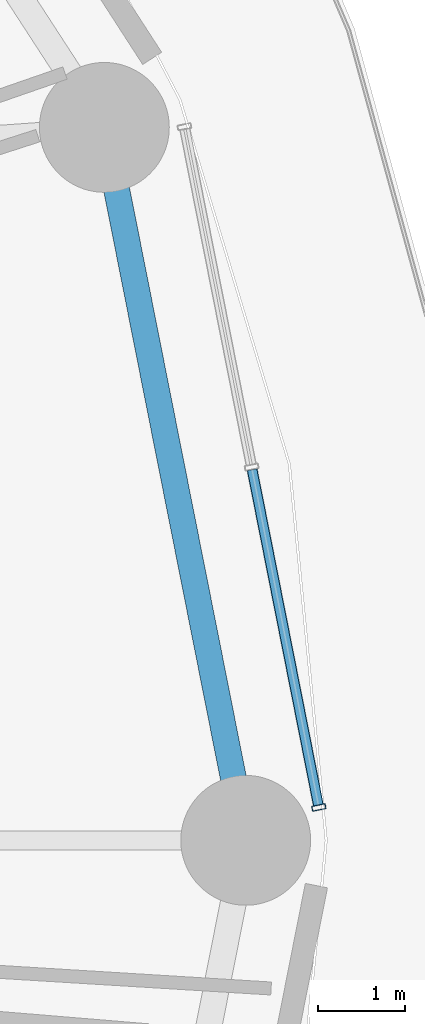
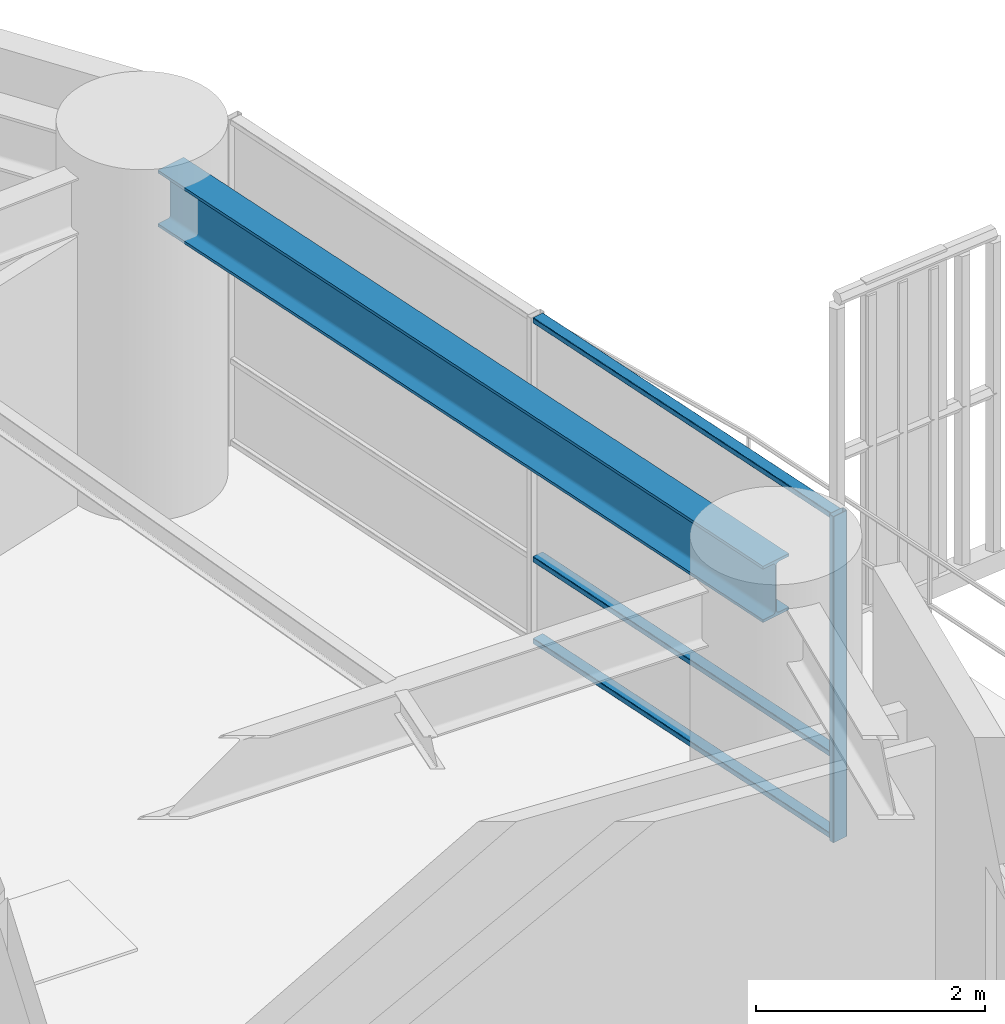
# One storey, part 14 of 32: 4 members, 1 beam, 1 element without a shape of its own.
"""IFC4 building model written with IfcOpenShell, lengths in metres."""

from ifc_helpers import new_model, si_unit, direction, frame, origin, origin_2d, place, context, subcontext, project, spatial, hollow_rectangle, i_section, extrude, material, layer, layer_set, material_profile, profile_set, type_object, element, aggregate, save


model = new_model("IFC4")

# Units and contexts
model_context = context("Model", 3, precision=1e-05, world=origin(), true_north=direction((0.0, 1.0)))
body_context = subcontext(model_context, "Body", "Model", "MODEL_VIEW")
ifc_project = project(units=[si_unit("LENGTHUNIT", "METRE"), si_unit("AREAUNIT", "SQUARE_METRE"), si_unit("VOLUMEUNIT", "CUBIC_METRE"), si_unit("PLANEANGLEUNIT", "RADIAN"), si_unit("MASSUNIT", "GRAM", prefix="KILO")], contexts=[model_context])

# Site, building, storey
site_placement = place(None, origin())
site = spatial("IfcSite", under=ifc_project, at=site_placement, CompositionType="ELEMENT")
building_placement = place(site_placement, origin())
building = spatial("IfcBuilding", under=site, at=building_placement, Name="Kelanora Arch Commons", CompositionType="ELEMENT")
storey_placement = place(building_placement, frame((0.0, 0.0, 56.25)))
storey = spatial("IfcBuildingStorey", under=building, at=storey_placement, Name="L14", CompositionType="ELEMENT", Elevation=56.25)

# Beam
ifc_material_1 = material(Name="Steel S355", Category="steel")
ifc_material_profile_1 = material_profile(ifc_material_1, i_section(OverallWidth=0.300048828125, OverallDepth=0.60009765625, WebThickness=0.015380859375, FlangeThickness=0.030029296875, FilletRadius=0.027099609375, at=origin_2d()), Name="HEB600")
ifc_profile_set_1 = profile_set([ifc_material_profile_1], Name="Steel S355")
beam_type = type_object("IfcBeamType", Name="BM-SPN-Z1", PredefinedType="SPANDREL", material=ifc_profile_set_1)
beam_placement = place(storey_placement, frame((101.080078125, 58.0, 3.18994140625), z_axis=(-0.194522790633, 0.980897998736, 0.0), x_axis=(-0.980897998736, -0.194522790633, 0.0)))
element("IfcBeam", 1, at=beam_placement, inside=storey, type_object=beam_type, Name="Perimeter Spandrel Beam BS-00 L14", PredefinedType="SPANDREL", context=body_context, shape_type="SweptSolid", body=[
    extrude(i_section(OverallWidth=0.300048828125, OverallDepth=0.60009765625, WebThickness=0.015380859375, FlangeThickness=0.030029296875, FilletRadius=0.027099609375, at=origin_2d()), origin(), (0.0, 0.0, 1.0), 8.01611328125),
])

# Curtain wall, members
ifc_material_2 = material(Name="Terracotta ceramic-fritted low-E glass and aluminium", Category="masonry")
ifc_layer = layer(ifc_material_2, 0.159912109375)
ifc_layer_set = layer_set([ifc_layer], Name="Terracotta ceramic-fritted low-E glass and aluminium")
curtain_wall_type = type_object("IfcCurtainWallType", Name="CW-SYS-01", PredefinedType="NOTDEFINED", material=ifc_layer_set)
curtain_wall_placement = place(storey_placement, origin())
curtain_wall = element("IfcCurtainWall", 2, at=curtain_wall_placement, inside=storey, type_object=curtain_wall_type, Name="Unitised Curtain Wall L14-B00", PredefinedType="NOTDEFINED")
ifc_material_3 = material(Name="Powder-coated aluminium terracotta", Category="masonry")
ifc_material_profile_2 = material_profile(ifc_material_3, hollow_rectangle(XDim=0.159912109375, YDim=0.06005859375, WallThickness=0.0048828125, InnerFilletRadius=0.0048828125, OuterFilletRadius=0.010009765625, at=origin_2d()), Name="CWM160x60")
ifc_profile_set_2 = profile_set([ifc_material_profile_2], Name="Powder-coated aluminium terracotta")
member_type_1 = type_object("IfcMemberType", Name="CWM-STD", PredefinedType="MULLION", material=ifc_profile_set_2)
member_1_placement = place(storey_placement, frame((101.925048828125, 58.379150390625, 0.0), z_axis=(0.0, 0.0, 1.0), x_axis=(-0.981052110579, -0.193744048498, 0.0)))
member_1 = element("IfcMember", 3, at=member_1_placement, type_object=member_type_1, Name="CW-01 mullion 1", PredefinedType="MULLION", context=body_context, shape_type="SweptSolid", body=[
    extrude(hollow_rectangle(XDim=0.159912109375, YDim=0.06005859375, WallThickness=0.0048828125, InnerFilletRadius=0.0048828125, OuterFilletRadius=0.010009765625, at=origin_2d()), origin(), (0.0, 0.0, 1.0), 3.47509765625),
])
ifc_material_profile_3 = material_profile(ifc_material_3, hollow_rectangle(XDim=0.1201171875, YDim=0.06005859375, WallThickness=0.0048828125, InnerFilletRadius=0.0048828125, OuterFilletRadius=0.010009765625, at=origin_2d()), Name="CWT120x60")
ifc_profile_set_3 = profile_set([ifc_material_profile_3], Name="Powder-coated aluminium terracotta")
member_type_2 = type_object("IfcMemberType", Name="CWT-STD", PredefinedType="USERDEFINED", material=ifc_profile_set_3)
member_2_placement = place(storey_placement, frame((101.919189453125, 58.408447265625, 0.030029296875), z_axis=(-0.193725436624, 0.98105578598, 0.0), x_axis=(-0.98105578598, -0.193725436624, 0.0)))
member_2 = element("IfcMember", 4, at=member_2_placement, type_object=member_type_2, Name="CW-01 transom 1.1", ObjectType="TRANSOM", PredefinedType="USERDEFINED", context=body_context, shape_type="SweptSolid", body=[
    extrude(hollow_rectangle(XDim=0.1201171875, YDim=0.06005859375, WallThickness=0.0048828125, InnerFilletRadius=0.0048828125, OuterFilletRadius=0.010009765625, at=origin_2d()), origin(), (0.0, 0.0, 1.0), 3.9482421875),
])
member_3_placement = place(storey_placement, frame((101.919189453125, 58.408447265625, 0.89990234375), z_axis=(-0.193725436624, 0.98105578598, 0.0), x_axis=(-0.98105578598, -0.193725436624, 0.0)))
member_3 = element("IfcMember", 5, at=member_3_placement, type_object=member_type_2, Name="CW-01 transom 1.2", ObjectType="TRANSOM", PredefinedType="USERDEFINED", context=body_context, shape_type="SweptSolid", body=[
    extrude(hollow_rectangle(XDim=0.1201171875, YDim=0.06005859375, WallThickness=0.0048828125, InnerFilletRadius=0.0048828125, OuterFilletRadius=0.010009765625, at=origin_2d()), origin(), (0.0, 0.0, 1.0), 3.9482421875),
])
member_4_placement = place(storey_placement, frame((101.919189453125, 58.408447265625, 3.445068359375), z_axis=(-0.193725436624, 0.98105578598, 0.0), x_axis=(-0.98105578598, -0.193725436624, 0.0)))
member_4 = element("IfcMember", 6, at=member_4_placement, type_object=member_type_2, Name="CW-01 transom 1.3", ObjectType="TRANSOM", PredefinedType="USERDEFINED", context=body_context, shape_type="SweptSolid", body=[
    extrude(hollow_rectangle(XDim=0.1201171875, YDim=0.06005859375, WallThickness=0.0048828125, InnerFilletRadius=0.0048828125, OuterFilletRadius=0.010009765625, at=origin_2d()), origin(), (0.0, 0.0, 1.0), 3.9482421875),
])
aggregate(curtain_wall, [member_1, member_2, member_3, member_4])

save(model, "model.ifc")
